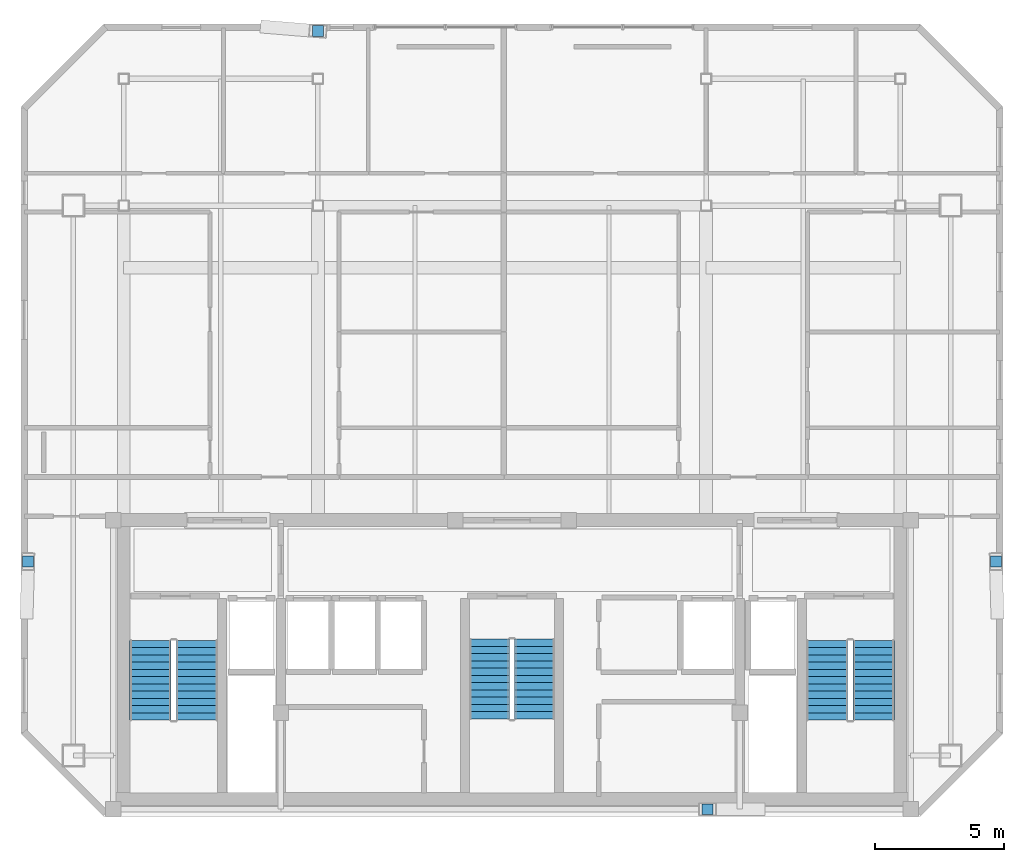
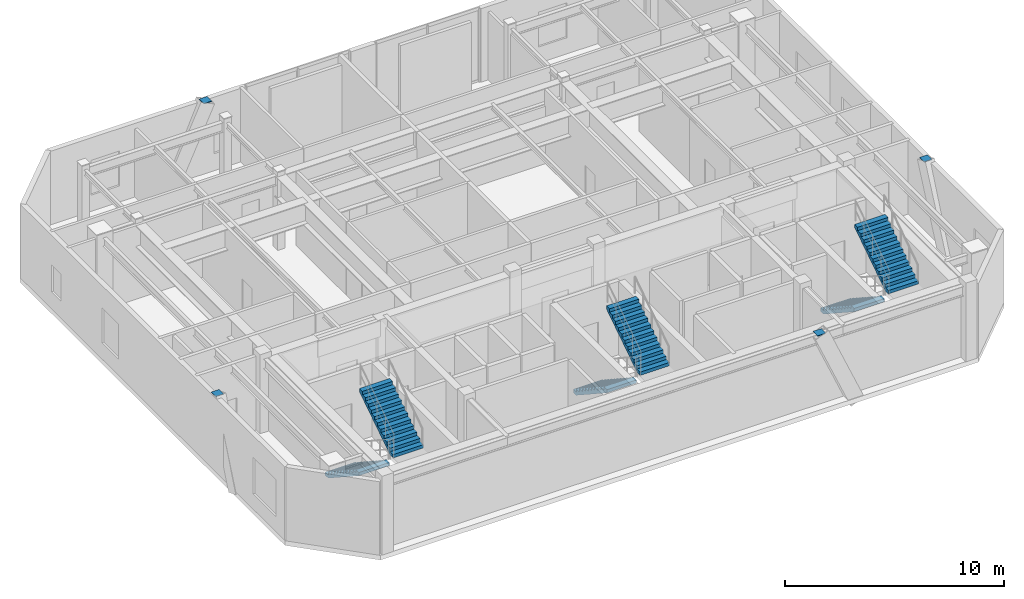
# One storey, part 9 of 10: 6 stair flights, 4 discrete accessories, 3 elements without a shape of their own.
"""IFC4 building model written with IfcOpenShell, lengths in metres."""

from ifc_helpers import new_model, si_unit, direction, frame, origin, origin_2d, place, context, subcontext, project, spatial, polyline, rectangle, outline, extrude, material, type_object, element, aggregate, save


model = new_model("IFC4")

# Units and contexts
model_context = context("Model", 3, precision=1e-05, world=origin(), true_north=direction((0.0, 1.0)))
body_context = subcontext(model_context, "Body", "Model", "MODEL_VIEW")
ifc_project = project(units=[si_unit("LENGTHUNIT", "METRE"), si_unit("AREAUNIT", "SQUARE_METRE"), si_unit("VOLUMEUNIT", "CUBIC_METRE"), si_unit("PLANEANGLEUNIT", "RADIAN"), si_unit("MASSUNIT", "GRAM", prefix="KILO")], contexts=[model_context])

# Site, building, storey
site_placement = place(None, origin())
site = spatial("IfcSite", under=ifc_project, at=site_placement, CompositionType="ELEMENT")
building_placement = place(site_placement, origin())
building = spatial("IfcBuilding", under=site, at=building_placement, Name="Ventersveld Concourse Tower", CompositionType="ELEMENT")
storey_placement = place(building_placement, frame((0.0, 0.0, 362.25)))
storey = spatial("IfcBuildingStorey", under=building, at=storey_placement, Name="L89", CompositionType="ELEMENT", Elevation=362.25)

# Stair, stair flights
ifc_material_1 = material(Name="Concrete C50/60", Category="concrete")
stair_type_1 = type_object("IfcStairType", Name="ST-DOG-155", PredefinedType="HALF_TURN_STAIR", material=ifc_material_1)
stair_1_placement = place(storey_placement, origin())
stair_1 = element("IfcStair", 1, at=stair_1_placement, inside=storey, type_object=stair_type_1, Name="L89 Protected Central Core Escape Stair ST-03", PredefinedType="HALF_TURN_STAIR")
stair_flight_type_1 = type_object("IfcStairFlightType", Name="STF-RC-155", PredefinedType="STRAIGHT", material=ifc_material_1)
stair_flight_1_placement = place(storey_placement, frame((27.875, 6.85009765625, 0.0), z_axis=(0.0, 0.0, 1.0), x_axis=(0.0, -1.0, 0.0)))
stair_flight_1 = element("IfcStairFlight", 2, at=stair_flight_1_placement, type_object=stair_flight_type_1, Name="ST-03 flight 1", NumberOfRisers=12, NumberOfTreads=11, PredefinedType="STRAIGHT", RiserHeight=0.183333333, TreadLength=0.28, context=body_context, shape_type="SweptSolid", body=[
    extrude(outline(polyline([(0.0, 0.0), (0.0, 0.183349609375), (0.280029296875, 0.183349609375), (0.280029296875, 0.36669921875), (0.56005859375, 0.36669921875), (0.56005859375, 0.550048828125), (0.840087890625, 0.550048828125), (0.840087890625, 0.7333984375), (1.1201171875, 0.7333984375), (1.1201171875, 0.916748046875), (1.39990234375, 0.916748046875), (1.39990234375, 1.10009765625), (1.679931640625, 1.10009765625), (1.679931640625, 1.283447265625), (1.9599609375, 1.283447265625), (1.9599609375, 1.466552734375), (2.239990234375, 1.466552734375), (2.239990234375, 1.64990234375), (2.52001953125, 1.64990234375), (2.52001953125, 1.833251953125), (2.800048828125, 1.833251953125), (2.800048828125, 2.0166015625), (3.080078125, 2.0166015625), (3.080078125, 2.199951171875), (3.080078125, 1.83740234375), (0.273681640625, 0.0), (0.0, 0.0)])), frame((0.0, 0.77490234375, 0.0), z_axis=(0.0, -1.0, 0.0), x_axis=(1.0, 0.0, 0.0)), (0.0, 0.0, 1.0), 1.550048828125),
])
stair_flight_2_placement = place(storey_placement, frame((29.625, 3.77001953125, 2.199951171875), z_axis=(0.0, 0.0, 1.0), x_axis=(0.0, 1.0, 0.0)))
stair_flight_2 = element("IfcStairFlight", 3, at=stair_flight_2_placement, type_object=stair_flight_type_1, Name="ST-03 flight 2", NumberOfRisers=12, NumberOfTreads=11, PredefinedType="STRAIGHT", RiserHeight=0.183333333, TreadLength=0.28, context=body_context, shape_type="SweptSolid", body=[
    extrude(outline(polyline([(0.0, 0.0), (0.0, 0.183349609375), (0.280029296875, 0.183349609375), (0.280029296875, 0.36669921875), (0.56005859375, 0.36669921875), (0.56005859375, 0.550048828125), (0.840087890625, 0.550048828125), (0.840087890625, 0.7333984375), (1.1201171875, 0.7333984375), (1.1201171875, 0.916748046875), (1.39990234375, 0.916748046875), (1.39990234375, 1.10009765625), (1.679931640625, 1.10009765625), (1.679931640625, 1.283447265625), (1.9599609375, 1.283447265625), (1.9599609375, 1.466552734375), (2.239990234375, 1.466552734375), (2.239990234375, 1.64990234375), (2.52001953125, 1.64990234375), (2.52001953125, 1.833251953125), (2.800048828125, 1.833251953125), (2.800048828125, 2.0166015625), (3.080078125, 2.0166015625), (3.080078125, 2.199951171875), (3.080078125, 1.83740234375), (0.273681640625, 0.0), (0.0, 0.0)])), frame((0.0, 0.77490234375, 0.0), z_axis=(0.0, -1.0, 0.0), x_axis=(1.0, 0.0, 0.0)), (0.0, 0.0, 1.0), 1.550048828125),
])
aggregate(stair_1, [stair_flight_1, stair_flight_2])

stair_type_2 = type_object("IfcStairType", Name="ST-DOG-160", PredefinedType="HALF_TURN_STAIR", material=ifc_material_1)
stair_2_placement = place(storey_placement, origin())
stair_2 = element("IfcStair", 4, at=stair_2_placement, inside=storey, type_object=stair_type_2, Name="L89 Protected Tower Escape Stair ST-01", PredefinedType="HALF_TURN_STAIR")
stair_flight_type_2 = type_object("IfcStairFlightType", Name="STF-RC-160", PredefinedType="STRAIGHT", material=ifc_material_1)
stair_flight_3_placement = place(storey_placement, frame((14.780029296875, 6.800048828125, 0.0), z_axis=(0.0, 0.0, 1.0), x_axis=(0.0, -1.0, 0.0)))
stair_flight_3 = element("IfcStairFlight", 5, at=stair_flight_3_placement, type_object=stair_flight_type_2, Name="ST-01 flight 1", NumberOfRisers=12, NumberOfTreads=11, PredefinedType="STRAIGHT", RiserHeight=0.183333333, TreadLength=0.28, context=body_context, shape_type="SweptSolid", body=[
    extrude(outline(polyline([(0.0, 0.0), (0.0, 0.183349609375), (0.280029296875, 0.183349609375), (0.280029296875, 0.36669921875), (0.56005859375, 0.36669921875), (0.56005859375, 0.550048828125), (0.840087890625, 0.550048828125), (0.840087890625, 0.7333984375), (1.1201171875, 0.7333984375), (1.1201171875, 0.916748046875), (1.39990234375, 0.916748046875), (1.39990234375, 1.10009765625), (1.679931640625, 1.10009765625), (1.679931640625, 1.283447265625), (1.9599609375, 1.283447265625), (1.9599609375, 1.466552734375), (2.239990234375, 1.466552734375), (2.239990234375, 1.64990234375), (2.52001953125, 1.64990234375), (2.52001953125, 1.833251953125), (2.800048828125, 1.833251953125), (2.800048828125, 2.0166015625), (3.080078125, 2.0166015625), (3.080078125, 2.199951171875), (3.080078125, 1.83740234375), (0.273681640625, 0.0), (0.0, 0.0)])), frame((0.0, 0.800048828125, 0.0), z_axis=(0.0, -1.0, 0.0), x_axis=(1.0, 0.0, 0.0)), (0.0, 0.0, 1.0), 1.60009765625),
])
stair_flight_4_placement = place(storey_placement, frame((16.580078125, 3.719970703125, 2.199951171875), z_axis=(0.0, 0.0, 1.0), x_axis=(0.0, 1.0, 0.0)))
stair_flight_4 = element("IfcStairFlight", 6, at=stair_flight_4_placement, type_object=stair_flight_type_2, Name="ST-01 flight 2", NumberOfRisers=12, NumberOfTreads=11, PredefinedType="STRAIGHT", RiserHeight=0.183333333, TreadLength=0.28, context=body_context, shape_type="SweptSolid", body=[
    extrude(outline(polyline([(0.0, 0.0), (0.0, 0.183349609375), (0.280029296875, 0.183349609375), (0.280029296875, 0.36669921875), (0.56005859375, 0.36669921875), (0.56005859375, 0.550048828125), (0.840087890625, 0.550048828125), (0.840087890625, 0.7333984375), (1.1201171875, 0.7333984375), (1.1201171875, 0.916748046875), (1.39990234375, 0.916748046875), (1.39990234375, 1.10009765625), (1.679931640625, 1.10009765625), (1.679931640625, 1.283447265625), (1.9599609375, 1.283447265625), (1.9599609375, 1.466552734375), (2.239990234375, 1.466552734375), (2.239990234375, 1.64990234375), (2.52001953125, 1.64990234375), (2.52001953125, 1.833251953125), (2.800048828125, 1.833251953125), (2.800048828125, 2.0166015625), (3.080078125, 2.0166015625), (3.080078125, 2.199951171875), (3.080078125, 1.83740234375), (0.273681640625, 0.0), (0.0, 0.0)])), frame((0.0, 0.800048828125, 0.0), z_axis=(0.0, -1.0, 0.0), x_axis=(1.0, 0.0, 0.0)), (0.0, 0.0, 1.0), 1.60009765625),
])
aggregate(stair_2, [stair_flight_3, stair_flight_4])

stair_3_placement = place(storey_placement, origin())
stair_3 = element("IfcStair", 7, at=stair_3_placement, inside=storey, type_object=stair_type_2, Name="L89 Protected Tower Escape Stair ST-02", PredefinedType="HALF_TURN_STAIR")
stair_flight_5_placement = place(storey_placement, frame((40.919921875, 6.800048828125, 0.0), z_axis=(0.0, 0.0, 1.0), x_axis=(0.0, -1.0, 0.0)))
stair_flight_5 = element("IfcStairFlight", 8, at=stair_flight_5_placement, type_object=stair_flight_type_2, Name="ST-02 flight 1", NumberOfRisers=12, NumberOfTreads=11, PredefinedType="STRAIGHT", RiserHeight=0.183333333, TreadLength=0.28, context=body_context, shape_type="SweptSolid", body=[
    extrude(outline(polyline([(0.0, 0.0), (0.0, 0.183349609375), (0.280029296875, 0.183349609375), (0.280029296875, 0.36669921875), (0.56005859375, 0.36669921875), (0.56005859375, 0.550048828125), (0.840087890625, 0.550048828125), (0.840087890625, 0.7333984375), (1.1201171875, 0.7333984375), (1.1201171875, 0.916748046875), (1.39990234375, 0.916748046875), (1.39990234375, 1.10009765625), (1.679931640625, 1.10009765625), (1.679931640625, 1.283447265625), (1.9599609375, 1.283447265625), (1.9599609375, 1.466552734375), (2.239990234375, 1.466552734375), (2.239990234375, 1.64990234375), (2.52001953125, 1.64990234375), (2.52001953125, 1.833251953125), (2.800048828125, 1.833251953125), (2.800048828125, 2.0166015625), (3.080078125, 2.0166015625), (3.080078125, 2.199951171875), (3.080078125, 1.83740234375), (0.273681640625, 0.0), (0.0, 0.0)])), frame((0.0, 0.800048828125, 0.0), z_axis=(0.0, -1.0, 0.0), x_axis=(1.0, 0.0, 0.0)), (0.0, 0.0, 1.0), 1.60009765625),
])
stair_flight_6_placement = place(storey_placement, frame((42.719970703125, 3.719970703125, 2.199951171875), z_axis=(0.0, 0.0, 1.0), x_axis=(0.0, 1.0, 0.0)))
stair_flight_6 = element("IfcStairFlight", 9, at=stair_flight_6_placement, type_object=stair_flight_type_2, Name="ST-02 flight 2", NumberOfRisers=12, NumberOfTreads=11, PredefinedType="STRAIGHT", RiserHeight=0.183333333, TreadLength=0.28, context=body_context, shape_type="SweptSolid", body=[
    extrude(outline(polyline([(0.0, 0.0), (0.0, 0.183349609375), (0.280029296875, 0.183349609375), (0.280029296875, 0.36669921875), (0.56005859375, 0.36669921875), (0.56005859375, 0.550048828125), (0.840087890625, 0.550048828125), (0.840087890625, 0.7333984375), (1.1201171875, 0.7333984375), (1.1201171875, 0.916748046875), (1.39990234375, 0.916748046875), (1.39990234375, 1.10009765625), (1.679931640625, 1.10009765625), (1.679931640625, 1.283447265625), (1.9599609375, 1.283447265625), (1.9599609375, 1.466552734375), (2.239990234375, 1.466552734375), (2.239990234375, 1.64990234375), (2.52001953125, 1.64990234375), (2.52001953125, 1.833251953125), (2.800048828125, 1.833251953125), (2.800048828125, 2.0166015625), (3.080078125, 2.0166015625), (3.080078125, 2.199951171875), (3.080078125, 1.83740234375), (0.273681640625, 0.0), (0.0, 0.0)])), frame((0.0, 0.800048828125, 0.0), z_axis=(0.0, -1.0, 0.0), x_axis=(1.0, 0.0, 0.0)), (0.0, 0.0, 1.0), 1.60009765625),
])
aggregate(stair_3, [stair_flight_5, stair_flight_6])

# Discrete accessories
ifc_material_2 = material(Name="Structural steel S355J2", Category="steel")
discrete_accessory_type = type_object("IfcDiscreteAccessoryType", Name="CONN-BRACE-ECP1", PredefinedType="BRACKET", material=ifc_material_2)
for number, where, z_axis, x_axis, name in (
    (10, (21.25, 30.340087890625, 4.080078125), (0.0, 0.0, 1.0), (1.0, 0.0, 0.0), "L89 Steel Brace End Connection Plate ECP1-0535"),
    (11, (36.300048828125, 0.280029296875, 4.080078125), (0.0, 0.0, 1.0), (1.0, 0.0, 0.0), "L89 Steel Brace End Connection Plate ECP1-0539"),
    (12, (10.054931640625, 9.85009765625, 4.080078125), (0.0, 0.0, 1.0), (1.0, 0.0, 0.0), "L89 Steel Brace End Connection Plate ECP1-0543"),
    (13, (47.445068359375, 9.85009765625, 4.080078125), (0.0, 0.0, 1.0), (1.0, 0.0, 0.0), "L89 Steel Brace End Connection Plate ECP1-0547"),
):
    element("IfcDiscreteAccessory", number, at=place(storey_placement, frame(where, z_axis=z_axis, x_axis=x_axis)), inside=storey, type_object=discrete_accessory_type, Name=name, PredefinedType="BRACKET", context=body_context, shape_type="SweptSolid", body=[
        extrude(rectangle(XDim=0.419921875, YDim=0.419921875, at=origin_2d()), origin(), (0.0, 0.0, 1.0), 0.0400390625),
    ])

save(model, "model.ifc")
